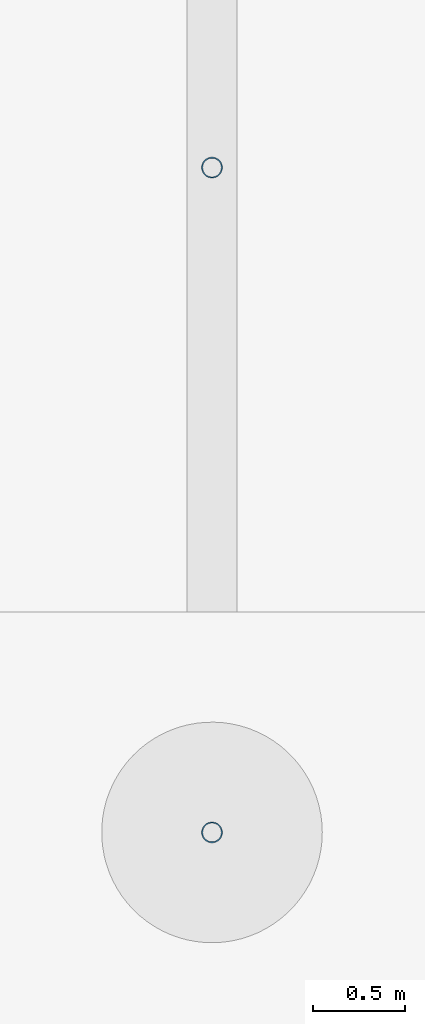
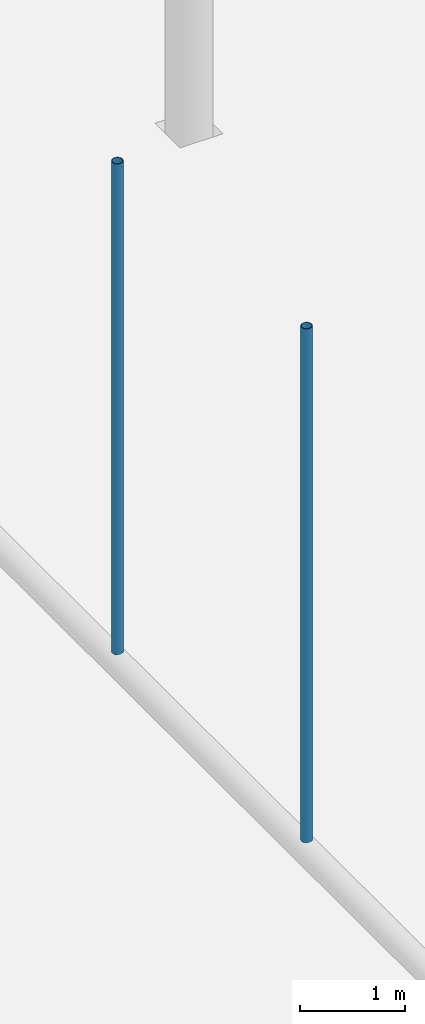
# One storey, part 45 of 212: 2 members.
"""IFC4 building model written with IfcOpenShell, lengths in metres."""

from ifc_helpers import new_model, si_unit, direction, frame, origin, origin_2d, place, context, subcontext, project, spatial, hollow_circle, extrude, material, material_profile, profile_set, type_object, element, save


model = new_model("IFC4")

# Units and contexts
model_context = context("Model", 3, precision=1e-05, world=origin(), true_north=direction((0.0, 1.0)))
body_context = subcontext(model_context, "Body", "Model", "MODEL_VIEW")
ifc_project = project(units=[si_unit("LENGTHUNIT", "METRE"), si_unit("AREAUNIT", "SQUARE_METRE"), si_unit("VOLUMEUNIT", "CUBIC_METRE"), si_unit("PLANEANGLEUNIT", "RADIAN"), si_unit("MASSUNIT", "GRAM", prefix="KILO")], contexts=[model_context])

# Site, building, storey
site_placement = place(None, origin())
site = spatial("IfcSite", under=ifc_project, at=site_placement, CompositionType="ELEMENT")
building_placement = place(site_placement, origin())
building = spatial("IfcBuilding", under=site, at=building_placement, Name="Catenary Quay Ferry Terminal", CompositionType="ELEMENT")
storey_placement = place(building_placement, origin())
storey = spatial("IfcBuildingStorey", under=building, at=storey_placement, Name="L00", CompositionType="ELEMENT", Elevation=0.0)

# Members
ifc_material = material(Name="Steel S355", Category="steel")
ifc_material_profile = material_profile(ifc_material, hollow_circle(Radius=0.05712890625, WallThickness=0.00634765625, at=origin_2d()), Name="CHS 114.3x6.3")
ifc_profile_set = profile_set([ifc_material_profile], Name="Steel S355")
member_type = type_object("IfcMemberType", Name="HG1 CHS 114.3x6.3", PredefinedType="POST", material=ifc_profile_set)
member_1_placement = place(storey_placement, frame((16.800048828125, 33.60009765625, 4.830078125), z_axis=(0.0, 0.0, 1.0), x_axis=(1.0, 0.0, 0.0)))
element("IfcMember", 1, at=member_1_placement, inside=storey, type_object=member_type, Name="Hanger CA-01-05", PredefinedType="POST", context=body_context, shape_type="SweptSolid", body=[
    extrude(hollow_circle(Radius=0.05712890625, WallThickness=0.00634765625, at=origin_2d()), origin(), (0.0, 0.0, 1.0), 5.997802734375),
])
member_2_placement = place(storey_placement, frame((16.800048828125, 37.218017578125, 4.830078125), z_axis=(0.0, 0.0, 1.0), x_axis=(1.0, 0.0, 0.0)))
element("IfcMember", 2, at=member_2_placement, inside=storey, type_object=member_type, Name="Hanger CA-01-06", PredefinedType="POST", context=body_context, shape_type="SweptSolid", body=[
    extrude(hollow_circle(Radius=0.05712890625, WallThickness=0.00634765625, at=origin_2d()), origin(), (0.0, 0.0, 1.0), 5.72998046875),
])

save(model, "model.ifc")
